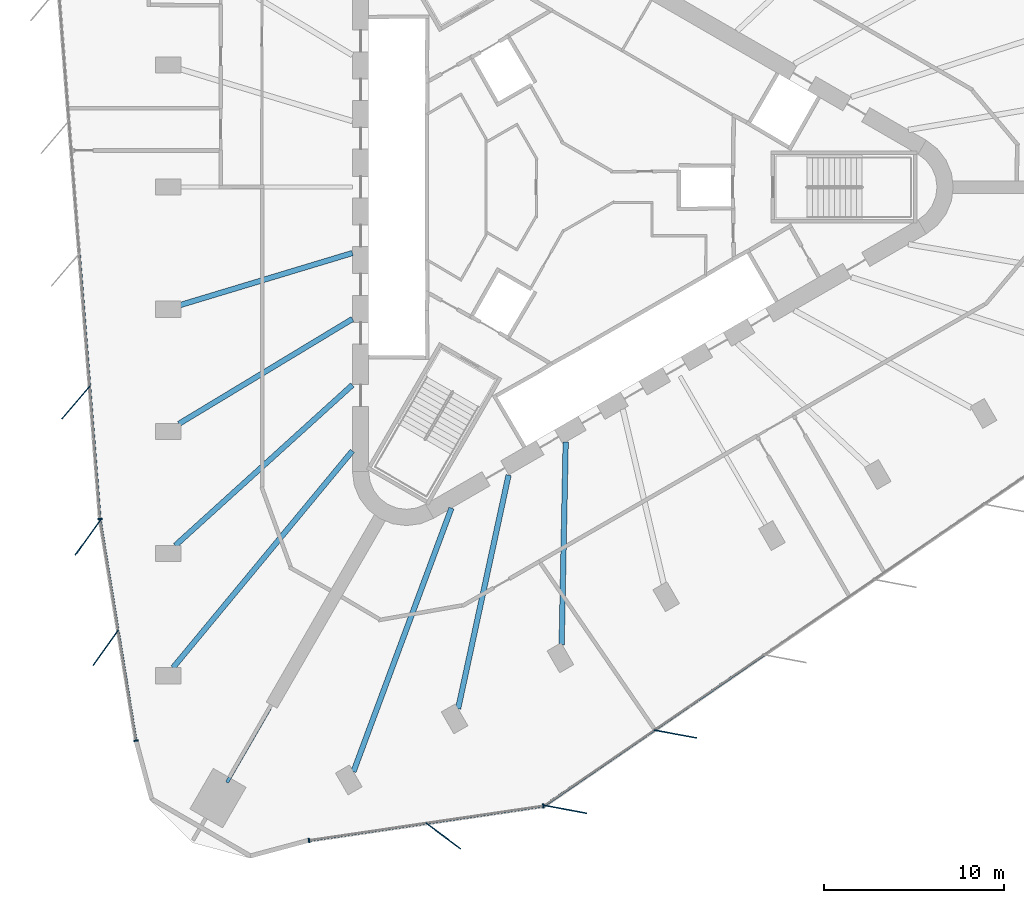
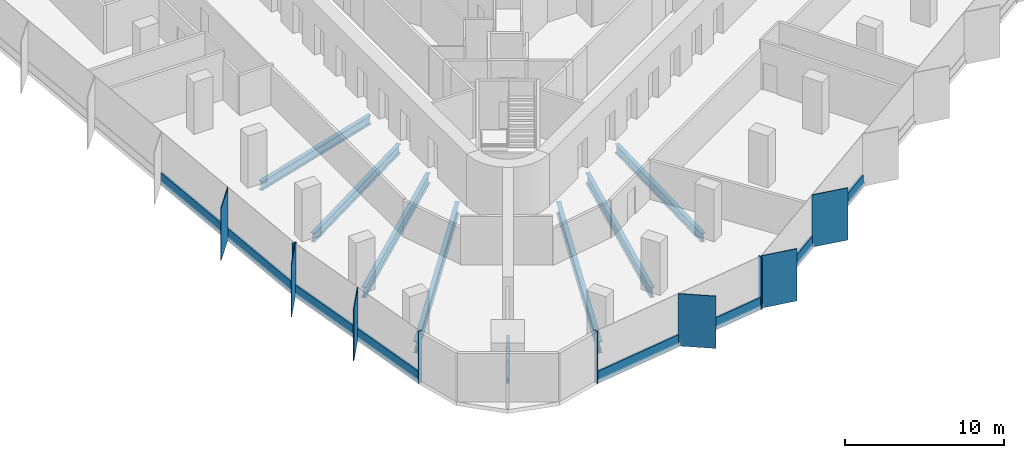
# One storey, part 2 of 13: 18 members, 8 beams, 4 elements without a shape of their own.
"""IFC4 building model written with IfcOpenShell, lengths in metres."""

import ifcopenshell
import ifcopenshell.guid

model = None  # the IFC model being written
_history = None  # IfcOwnerHistory: only IFC2X3 demands one
_inside = {}  # id of a spatial element -> (the spatial element, [elements in it])
_under = {}  # id of a project, library or spatial element -> (it, [spatial elements below it])
_declared = {}  # id of a project -> (the project, [libraries it declares])
_typed = {}  # id of a type object -> (the type object, [elements of that type])
_made_of = {}  # id of a material, layer set ... -> (it, [elements and type objects made of it])


def new_model(schema):
    """Start an empty IFC model of exactly this schema.

    Asked for "IFC4X3", IfcOpenShell would pick the latest addendum, in which some entities
    have other attributes; the version numbers below select the first issue.
    IFC2X3 requires an IfcOwnerHistory on every rooted entity: one is made here for all.
    """
    global model, _history
    if schema == "IFC4X3":
        model = ifcopenshell.file(schema_version=(4, 3, 0, 0))
    else:
        model = ifcopenshell.file(schema=schema)
    _inside.clear()
    _under.clear()
    _declared.clear()
    _typed.clear()
    _made_of.clear()
    _history = None
    if model.schema == "IFC2X3":
        org = make("IfcOrganization", Name="unknown")
        user = make(
            "IfcPersonAndOrganization",
            ThePerson=make("IfcPerson", FamilyName="unknown"),
            TheOrganization=org,
        )
        app = make(
            "IfcApplication",
            ApplicationDeveloper=org,
            Version="unknown",
            ApplicationFullName="unknown",
            ApplicationIdentifier="unknown",
        )
        _history = make(
            "IfcOwnerHistory",
            OwningUser=user,
            OwningApplication=app,
            ChangeAction="ADDED",
            CreationDate=0,
        )
    return model


def make(cls, **values):
    """One entity of the class cls with the attributes given. An attribute that is None is left unset."""
    return model.create_entity(
        cls, **{name: value for name, value in values.items() if value is not None}
    )


def rooted(cls, **values):
    """An entity with a GlobalId (a new one), such as an element, a storey or a relation."""
    return make(cls, GlobalId=ifcopenshell.guid.new(), OwnerHistory=_history, **values)


def si_unit(unit_type, name, prefix=None):
    """IfcSIUnit, for example si_unit("LENGTHUNIT", "METRE", prefix="MILLI")."""
    return make("IfcSIUnit", UnitType=unit_type, Prefix=prefix, Name=name)


def assignment(units):
    """IfcUnitAssignment: the units of a project."""
    return None if units is None else make("IfcUnitAssignment", Units=units)


def point(xyz):
    """IfcCartesianPoint."""
    return None if xyz is None else make("IfcCartesianPoint", Coordinates=xyz)


def direction(xyz):
    """IfcDirection."""
    return None if xyz is None else make("IfcDirection", DirectionRatios=xyz)


def frame(location, z_axis=None, x_axis=None):
    """IfcAxis2Placement3D, a coordinate frame: its origin and axes. An axis left out is left unset."""
    return make(
        "IfcAxis2Placement3D",
        Location=point(location),
        Axis=direction(z_axis),
        RefDirection=direction(x_axis),
    )


def frame_2d(location, x_axis=None):
    """IfcAxis2Placement2D, a coordinate frame in the plane: its origin and x axis."""
    return make(
        "IfcAxis2Placement2D", Location=point(location), RefDirection=direction(x_axis)
    )


def origin():
    """The frame at (0, 0, 0) with its axes left unset."""
    return frame((0.0, 0.0, 0.0))


def origin_2d():
    """The frame at (0, 0) in the plane with its x axis left unset."""
    return frame_2d((0.0, 0.0))


def place(relative_to, where):
    """IfcLocalPlacement: puts the frame where relative to a parent placement (None: the world)."""
    return make(
        "IfcLocalPlacement", PlacementRelTo=relative_to, RelativePlacement=where
    )


def context(
    kind, dimensions, precision=None, world=None, true_north=None, identifier=None
):
    """IfcGeometricRepresentationContext, for example the 3D "Model" context."""
    return make(
        "IfcGeometricRepresentationContext",
        ContextIdentifier=identifier,
        ContextType=kind,
        CoordinateSpaceDimension=dimensions,
        Precision=precision,
        WorldCoordinateSystem=world,
        TrueNorth=true_north,
    )


def subcontext(parent, identifier, kind, view, scale=None):
    """IfcGeometricRepresentationSubContext, for example "Body" below "Model"."""
    return make(
        "IfcGeometricRepresentationSubContext",
        ContextIdentifier=identifier,
        ContextType=kind,
        ParentContext=parent,
        TargetScale=scale,
        TargetView=view,
    )


def project(units=None, contexts=None):
    """IfcProject with its units and contexts."""
    return rooted(
        "IfcProject",
        Name="project",
        RepresentationContexts=contexts,
        UnitsInContext=assignment(units),
    )


def spatial(cls, under=None, at=None, **own):
    """A site, building, storey or space (cls), placed at a placement, below another one or the project."""
    s = rooted(cls, ObjectPlacement=at, **own)
    if under is not None:
        _under.setdefault(under.id(), (under, []))[1].append(s)
    return s


def profile(cls, at=None, kind="AREA", **sizes):
    """A parametric profile (cls). Its sizes go by their IFC names, for example OverallWidth=200.0."""
    return make(cls, ProfileType=kind, Position=at, **sizes)


def rectangle(**sizes):
    """IfcRectangleProfileDef."""
    return profile("IfcRectangleProfileDef", **sizes)


def i_section(**sizes):
    """IfcIShapeProfileDef."""
    return profile("IfcIShapeProfileDef", **sizes)


def extrude(swept, where, along, depth):
    """IfcExtrudedAreaSolid: the profile swept, set in the frame where, extruded along a direction by depth."""
    return make(
        "IfcExtrudedAreaSolid",
        SweptArea=swept,
        Position=where,
        ExtrudedDirection=direction(along),
        Depth=depth,
    )


def shape(context_of_items, identifier, shape_type, items):
    """IfcShapeRepresentation: the items that make up one representation, for example the "Body"."""
    return make(
        "IfcShapeRepresentation",
        ContextOfItems=context_of_items,
        RepresentationIdentifier=identifier,
        RepresentationType=shape_type,
        Items=items,
    )


def material(Name=None, Category=None):
    """IfcMaterial."""
    return make("IfcMaterial", Name=Name, Category=Category)


def material_profile(
    of_material, cross_section, Name=None, Category=None, Priority=None
):
    """IfcMaterialProfile: a cross section and its material."""
    return make(
        "IfcMaterialProfile",
        Name=Name,
        Material=of_material,
        Profile=cross_section,
        Priority=Priority,
        Category=Category,
    )


def profile_set(profiles, Name=None, composite=None):
    """IfcMaterialProfileSet."""
    return make(
        "IfcMaterialProfileSet",
        Name=Name,
        MaterialProfiles=profiles,
        CompositeProfile=composite,
    )


def made_of(thing, what):
    """Note that an element or type object is made of a material, layer set ...; save() writes the relation."""
    if what is not None:
        _made_of.setdefault(what.id(), (what, []))[1].append(thing)
    return thing


def type_object(cls, material=None, **own):
    """A type object (cls), such as IfcWallType, which elements share."""
    return made_of(rooted(cls, **own), material)


def element(
    cls,
    number,
    at=None,
    inside=None,
    cuts=None,
    type_object=None,
    material=None,
    context=None,
    identifier="Body",
    shape_type=None,
    held_by="IfcProductDefinitionShape",
    body=None,
    shapes=None,
    **own,
):
    """One element of the class cls, such as IfcWall. Its Tag is "e" and its number.

    at: its placement. inside: the storey or other place that contains it. cuts: it is an
    opening in that element (IfcRelVoidsElement). A single representation is given by context,
    identifier, shape_type and body (its items); several are given by shapes. held_by: the class
    of the entity that holds the representations. save() writes the other relations.
    """
    e = rooted(cls, Tag="e%d" % number, ObjectPlacement=at, **own)
    if body is not None:
        shapes = [shape(context, identifier, shape_type, body)]
    if shapes is not None:
        e.Representation = make(held_by, Representations=shapes)
    if inside is not None:
        _inside.setdefault(inside.id(), (inside, []))[1].append(e)
    if cuts is not None:
        rooted(
            "IfcRelVoidsElement", RelatingBuildingElement=cuts, RelatedOpeningElement=e
        )
    if type_object is not None:
        _typed.setdefault(type_object.id(), (type_object, []))[1].append(e)
    return made_of(e, material)


def aggregate(whole, parts):
    """IfcRelAggregates: a whole, such as a stair, and the parts it consists of."""
    return rooted("IfcRelAggregates", RelatingObject=whole, RelatedObjects=parts)


def save(model, path):
    """Write the relations noted so far, then the file.

    IfcRelAggregates (storeys below a building ...), IfcRelContainedInSpatialStructure (elements
    in a storey), IfcRelDefinesByType, IfcRelAssociatesMaterial and IfcRelDeclares: one each for
    every whole, place, type object, material and project.
    """
    for whole, parts in _under.values():
        aggregate(whole, parts)
    for where, things in _inside.values():
        rooted(
            "IfcRelContainedInSpatialStructure",
            RelatedElements=things,
            RelatingStructure=where,
        )
    for kind, things in _typed.values():
        rooted("IfcRelDefinesByType", RelatedObjects=things, RelatingType=kind)
    for what, things in _made_of.values():
        rooted("IfcRelAssociatesMaterial", RelatedObjects=things, RelatingMaterial=what)
    for by, libraries in _declared.values():
        rooted("IfcRelDeclares", RelatingContext=by, RelatedDefinitions=libraries)
    model.write(path)


model = new_model("IFC4")

# Units and contexts
model_context = context("Model", 3, precision=1e-05, world=origin(), true_north=direction((0.0, 1.0)))
body_context = subcontext(model_context, "Body", "Model", "MODEL_VIEW")
ifc_project = project(units=[si_unit("LENGTHUNIT", "METRE"), si_unit("AREAUNIT", "SQUARE_METRE"), si_unit("VOLUMEUNIT", "CUBIC_METRE"), si_unit("PLANEANGLEUNIT", "RADIAN"), si_unit("MASSUNIT", "GRAM", prefix="KILO")], contexts=[model_context])

# Site, building, storey
site_placement = place(None, origin())
site = spatial("IfcSite", under=ifc_project, at=site_placement, CompositionType="ELEMENT")
building_placement = place(site_placement, origin())
building = spatial("IfcBuilding", under=site, at=building_placement, Name="Tanit Gate Tower", CompositionType="ELEMENT")
storey_placement = place(building_placement, frame((0.0, 0.0, 193.199951171875)))
storey = spatial("IfcBuildingStorey", under=building, at=storey_placement, Name="L42", CompositionType="ELEMENT", Elevation=193.199951171875)

# Curtain wall, member
ifc_material_1 = material(Name="Aluminium bronze anodised and glass", Category="aluminium")
curtain_wall_type = type_object("IfcCurtainWallType", Name="Curtain wall typical mid", PredefinedType="NOTDEFINED", material=ifc_material_1)
curtain_wall_1_placement = place(storey_placement, origin())
curtain_wall_1 = element("IfcCurtainWall", 1, at=curtain_wall_1_placement, inside=storey, type_object=curtain_wall_type, Name="Curtain wall L42 W2", PredefinedType="NOTDEFINED")
ifc_material_2 = material(Name="Aluminium bronze anodised", Category="aluminium")
ifc_material_profile_1 = material_profile(ifc_material_2, rectangle(XDim=2.39990234375, YDim=0.055908203125, at=origin_2d()), Name="56x2400 bronze fin mullion")
ifc_profile_set_1 = profile_set([ifc_material_profile_1], Name="Aluminium bronze anodised")
member_type_1 = type_object("IfcMemberType", Name="FIN MULLION 56x2400 bronze", PredefinedType="MULLION", material=ifc_profile_set_1)
member_1_placement = place(storey_placement, frame((-27.427490234375, -11.9326171875, -0.300048828125), z_axis=(0.0, 0.0, 1.0), x_axis=(0.649921223903, 0.760001580735, 0.0)))
member_1 = element("IfcMember", 2, at=member_1_placement, type_object=member_type_1, Name="Fin mullion L42 W2.5", PredefinedType="MULLION", context=body_context, shape_type="SweptSolid", body=[
    extrude(rectangle(XDim=2.39990234375, YDim=0.055908203125, at=origin_2d()), origin(), (0.0, 0.0, 1.0), 4.0),
])

# Curtain wall, members
curtain_wall_2_placement = place(storey_placement, origin())
curtain_wall_2 = element("IfcCurtainWall", 3, at=curtain_wall_2_placement, inside=storey, type_object=curtain_wall_type, Name="Curtain wall L42 W3", PredefinedType="NOTDEFINED")
member_2_placement = place(storey_placement, frame((-26.7666015625, -19.4287109375, -0.300048828125), z_axis=(0.0, 0.0, 1.0), x_axis=(0.584613599563, 0.8113118631, 0.0)))
member_2 = element("IfcMember", 4, at=member_2_placement, type_object=member_type_1, Name="Fin mullion L42 W3.1", PredefinedType="MULLION", context=body_context, shape_type="SweptSolid", body=[
    extrude(rectangle(XDim=2.39990234375, YDim=0.055908203125, at=origin_2d()), origin(), (0.0, 0.0, 1.0), 4.0),
])
member_3_placement = place(storey_placement, frame((-25.775146484375, -25.532958984375, -0.300048828125), z_axis=(0.0, 0.0, 1.0), x_axis=(0.584613599563, 0.8113118631, 0.0)))
member_3 = element("IfcMember", 5, at=member_3_placement, type_object=member_type_1, Name="Fin mullion L42 W3.2", PredefinedType="MULLION", context=body_context, shape_type="SweptSolid", body=[
    extrude(rectangle(XDim=2.39990234375, YDim=0.055908203125, at=origin_2d()), origin(), (0.0, 0.0, 1.0), 4.0),
])

# Curtain wall, member
curtain_wall_3_placement = place(storey_placement, origin())
curtain_wall_3 = element("IfcCurtainWall", 6, at=curtain_wall_3_placement, inside=storey, type_object=curtain_wall_type, Name="Curtain wall L42 SE1", PredefinedType="NOTDEFINED")
member_4_placement = place(storey_placement, frame((-7.0673828125, -35.96044921875, -0.300048828125), z_axis=(0.0, 0.0, 1.0), x_axis=(-0.802457483443, 0.596709298794, 0.0)))
member_4 = element("IfcMember", 7, at=member_4_placement, type_object=member_type_1, Name="Fin mullion L42 SE1.2", PredefinedType="MULLION", context=body_context, shape_type="SweptSolid", body=[
    extrude(rectangle(XDim=2.39990234375, YDim=0.055908203125, at=origin_2d()), origin(), (0.0, 0.0, 1.0), 4.0),
])

# Curtain wall, members
curtain_wall_4_placement = place(storey_placement, origin())
curtain_wall_4 = element("IfcCurtainWall", 8, at=curtain_wall_4_placement, inside=storey, type_object=curtain_wall_type, Name="Curtain wall L42 SE2", PredefinedType="NOTDEFINED")
member_5_placement = place(storey_placement, frame((-0.287109375, -34.489013671875, -0.300048828125), z_axis=(0.0, 0.0, 1.0), x_axis=(-0.983141287785, 0.182847499991, 0.0)))
member_5 = element("IfcMember", 9, at=member_5_placement, type_object=member_type_1, Name="Fin mullion L42 SE2.1", PredefinedType="MULLION", context=body_context, shape_type="SweptSolid", body=[
    extrude(rectangle(XDim=2.39990234375, YDim=0.055908203125, at=origin_2d()), origin(), (0.0, 0.0, 1.0), 4.0),
])
member_6_placement = place(storey_placement, frame((5.796630859375, -30.3134765625, -0.300048828125), z_axis=(0.0, 0.0, 1.0), x_axis=(-0.983141287785, 0.182847499991, 0.0)))
member_6 = element("IfcMember", 10, at=member_6_placement, type_object=member_type_1, Name="Fin mullion L42 SE2.2", PredefinedType="MULLION", context=body_context, shape_type="SweptSolid", body=[
    extrude(rectangle(XDim=2.39990234375, YDim=0.055908203125, at=origin_2d()), origin(), (0.0, 0.0, 1.0), 4.0),
])

# Member
ifc_material_3 = material(Name="Aluminium bronze anodised", Category="aluminium")
ifc_material_profile_2 = material_profile(ifc_material_3, rectangle(XDim=0.260009765625, YDim=0.080078125, at=origin_2d()), Name="80x260 bronze mullion")
ifc_profile_set_2 = profile_set([ifc_material_profile_2], Name="Aluminium bronze anodised")
member_type_2 = type_object("IfcMemberType", Name="Mullion 80x260 typical mid", PredefinedType="MULLION", material=ifc_profile_set_2)
member_7_placement = place(storey_placement, frame((-26.0869140625, -18.39306640625, -0.300048828125), z_axis=(0.0, 0.0, 1.0), x_axis=(0.996965976109, 0.077838566791, 0.0)))
member_7 = element("IfcMember", 11, at=member_7_placement, type_object=member_type_2, Name="Mullion L42 W2.6", PredefinedType="MULLION", context=body_context, shape_type="SweptSolid", body=[
    extrude(rectangle(XDim=0.260009765625, YDim=0.080078125, at=origin_2d()), origin(), (0.0, 0.0, 1.0), 4.0),
])

member_8_placement = place(storey_placement, frame((-24.0947265625, -30.6806640625, -0.300048828125), z_axis=(0.0, 0.0, 1.0), x_axis=(0.98706836068, 0.16029987943, 0.0)))
member_8 = element("IfcMember", 12, at=member_8_placement, type_object=member_type_2, Name="Mullion L42 W3.3", PredefinedType="MULLION", context=body_context, shape_type="SweptSolid", body=[
    extrude(rectangle(XDim=0.260009765625, YDim=0.080078125, at=origin_2d()), origin(), (0.0, 0.0, 1.0), 4.0),
])

member_9_placement = place(storey_placement, frame((-14.508056640625, -36.212158203125, -0.300048828125), z_axis=(0.0, 0.0, 1.0), x_axis=(-0.145485936582, 0.98936031973, 0.0)))
member_9 = element("IfcMember", 13, at=member_9_placement, type_object=member_type_2, Name="Mullion L42 SE1.1", PredefinedType="MULLION", context=body_context, shape_type="SweptSolid", body=[
    extrude(rectangle(XDim=0.260009765625, YDim=0.080078125, at=origin_2d()), origin(), (0.0, 0.0, 1.0), 4.0),
])

member_10_placement = place(storey_placement, frame((-1.5185546875, -34.302001953125, -0.300048828125), z_axis=(0.0, 0.0, 1.0), x_axis=(-0.145485936582, 0.98936031973, 0.0)))
member_10 = element("IfcMember", 14, at=member_10_placement, type_object=member_type_2, Name="Mullion L42 SE1.3", PredefinedType="MULLION", context=body_context, shape_type="SweptSolid", body=[
    extrude(rectangle(XDim=0.260009765625, YDim=0.080078125, at=origin_2d()), origin(), (0.0, 0.0, 1.0), 4.0),
])

# Beams
ifc_material_4 = material(Name="Steel S355", Category="steel")
ifc_material_profile_3 = material_profile(ifc_material_4, i_section(OverallWidth=0.300048828125, OverallDepth=0.68994140625, WebThickness=0.014404296875, FlangeThickness=0.027099609375, FilletRadius=0.027099609375, at=origin_2d()), Name="HEA 700")
ifc_profile_set_3 = profile_set([ifc_material_profile_3], Name="Steel S355")
beam_type_1 = type_object("IfcBeamType", Name="RADIAL GIRDER HEA 700 S355", PredefinedType="BEAM", material=ifc_profile_set_3)
beam_1_placement = place(storey_placement, frame((-21.714599609375, -6.5595703125, -0.64501953125), z_axis=(0.95727515036, 0.28917864116, 0.0), x_axis=(-0.28917864116, 0.95727515036, 0.0)))
element("IfcBeam", 15, at=beam_1_placement, inside=storey, type_object=beam_type_1, Name="RADIAL GIRDER", PredefinedType="BEAM", context=body_context, shape_type="SweptSolid", body=[
    extrude(i_section(OverallWidth=0.300048828125, OverallDepth=0.68994140625, WebThickness=0.014404296875, FlangeThickness=0.027099609375, FilletRadius=0.027099609375, at=origin_2d()), origin(), (0.0, 0.0, 1.0), 10.04150390625),
])
for number, where, z_axis, x_axis, name in (
    (16, (-21.714599609375, -13.119140625, -0.64501953125), (0.855914138783, 0.517117962395, 0.0), (-0.517117962395, 0.855914138783, 0.0), "RADIAL GIRDER"),
    (17, (-0.504150390625, -25.364990234375, -0.64501953125), (0.019869098262, 0.999802589982, 0.0), (-0.999802589982, 0.019869098262, 0.0), "RADIAL GIRDER"),
):
    element("IfcBeam", number, at=place(storey_placement, frame(where, z_axis=z_axis, x_axis=x_axis)), inside=storey, type_object=beam_type_1, Name=name, PredefinedType="BEAM", context=body_context, shape_type="SweptSolid", body=[
        extrude(i_section(OverallWidth=0.300048828125, OverallDepth=0.68994140625, WebThickness=0.014404296875, FlangeThickness=0.027099609375, FilletRadius=0.027099609375, at=origin_2d()), origin(), (0.0, 0.0, 1.0), 11.230712890625),
    ])
ifc_material_5 = material(Name="Steel S355", Category="steel")
ifc_material_profile_4 = material_profile(ifc_material_5, i_section(OverallWidth=0.300048828125, OverallDepth=0.7900390625, WebThickness=0.014892578125, FlangeThickness=0.028076171875, FilletRadius=0.030029296875, at=origin_2d()), Name="HEA 800")
ifc_profile_set_4 = profile_set([ifc_material_profile_4], Name="Steel S355")
beam_type_2 = type_object("IfcBeamType", Name="RADIAL GIRDER HEA 800 S355", PredefinedType="BEAM", material=ifc_profile_set_4)
beam_2_placement = place(storey_placement, frame((-21.918212890625, -19.86279296875, -0.695068359375), z_axis=(0.741001566529, 0.671503297387, 0.0), x_axis=(-0.671503297387, 0.741001566529, 0.0)))
element("IfcBeam", 18, at=beam_2_placement, inside=storey, type_object=beam_type_2, Name="RADIAL GIRDER", PredefinedType="BEAM", context=body_context, shape_type="SweptSolid", body=[
    extrude(i_section(OverallWidth=0.300048828125, OverallDepth=0.7900390625, WebThickness=0.014892578125, FlangeThickness=0.028076171875, FilletRadius=0.030029296875, at=origin_2d()), origin(), (0.0, 0.0, 1.0), 13.2470703125),
])
beam_3_placement = place(storey_placement, frame((-6.242919921875, -28.9130859375, -0.695068359375), z_axis=(0.211052986888, 0.977474622037, 0.0), x_axis=(-0.977474622037, 0.211052986888, 0.0)))
element("IfcBeam", 19, at=beam_3_placement, inside=storey, type_object=beam_type_2, Name="RADIAL GIRDER", PredefinedType="BEAM", context=body_context, shape_type="SweptSolid", body=[
    extrude(i_section(OverallWidth=0.300048828125, OverallDepth=0.7900390625, WebThickness=0.014892578125, FlangeThickness=0.028076171875, FilletRadius=0.030029296875, at=origin_2d()), origin(), (0.0, 0.0, 1.0), 13.247314453125),
])
ifc_material_6 = material(Name="Steel S355", Category="steel")
ifc_material_profile_5 = material_profile(ifc_material_6, i_section(OverallWidth=0.300048828125, OverallDepth=0.889892578125, WebThickness=0.01611328125, FlangeThickness=0.030029296875, FilletRadius=0.030029296875, at=origin_2d()), Name="HEA 900")
ifc_profile_set_5 = profile_set([ifc_material_profile_5], Name="Steel S355")
beam_type_3 = type_object("IfcBeamType", Name="RADIAL GIRDER HEA 900 S355", PredefinedType="BEAM", material=ifc_profile_set_5)
beam_4_placement = place(storey_placement, frame((-22.042236328125, -26.6337890625, -0.744873046875), z_axis=(0.637577648995, 0.77038609898, 0.0), x_axis=(-0.77038609898, 0.637577648995, 0.0)))
element("IfcBeam", 20, at=beam_4_placement, inside=storey, type_object=beam_type_3, Name="RADIAL GIRDER", PredefinedType="BEAM", context=body_context, shape_type="SweptSolid", body=[
    extrude(i_section(OverallWidth=0.300048828125, OverallDepth=0.889892578125, WebThickness=0.01611328125, FlangeThickness=0.030029296875, FilletRadius=0.030029296875, at=origin_2d()), origin(), (0.0, 0.0, 1.0), 15.590576171875),
])
beam_5_placement = place(storey_placement, frame((-12.04443359375, -32.40625, -0.744873046875), z_axis=(0.348383102876, 0.937352235625, 0.0), x_axis=(-0.937352235625, 0.348383102876, 0.0)))
element("IfcBeam", 21, at=beam_5_placement, inside=storey, type_object=beam_type_3, Name="RADIAL GIRDER", PredefinedType="BEAM", context=body_context, shape_type="SweptSolid", body=[
    extrude(i_section(OverallWidth=0.300048828125, OverallDepth=0.889892578125, WebThickness=0.01611328125, FlangeThickness=0.030029296875, FilletRadius=0.030029296875, at=origin_2d()), origin(), (0.0, 0.0, 1.0), 15.591064453125),
])
ifc_material_7 = material(Name="Steel S355", Category="steel")
ifc_material_profile_6 = material_profile(ifc_material_7, i_section(OverallWidth=0.179931640625, OverallDepth=0.39990234375, WebThickness=0.008544921875, FlangeThickness=0.013427734375, FilletRadius=0.02099609375, at=origin_2d()), Name="IPE 400")
ifc_profile_set_6 = profile_set([ifc_material_profile_6], Name="Steel S355")
beam_type_4 = type_object("IfcBeamType", Name="RADIAL GIRDER IPE 400 S355", PredefinedType="BEAM", material=ifc_profile_set_6)
beam_6_placement = place(storey_placement, frame((-19.05126953125, -32.997802734375, -0.5), z_axis=(0.49999482868, 0.866028389427, 0.0), x_axis=(-0.866028389427, 0.49999482868, 0.0)))
element("IfcBeam", 22, at=beam_6_placement, inside=storey, type_object=beam_type_4, Name="RADIAL GIRDER", PredefinedType="BEAM", context=body_context, shape_type="SweptSolid", body=[
    extrude(i_section(OverallWidth=0.179931640625, OverallDepth=0.39990234375, WebThickness=0.008544921875, FlangeThickness=0.013427734375, FilletRadius=0.02099609375, at=origin_2d()), origin(), (0.0, 0.0, 1.0), 4.73291015625),
])

# Member
ifc_material_8 = material(Name="Aluminium bronze anodised", Category="aluminium")
ifc_material_profile_7 = material_profile(ifc_material_8, rectangle(XDim=0.139892578125, YDim=0.89990234375, at=origin_2d()), Name="140x900 bronze transom")
ifc_profile_set_7 = profile_set([ifc_material_profile_7], Name="Aluminium bronze anodised")
member_type_3 = type_object("IfcMemberType", Name="Transom 140x900 typical mid", PredefinedType="USERDEFINED", material=ifc_profile_set_7)
member_11_placement = place(storey_placement, frame((-27.232421875, -3.72021484375, 0.150146484375), z_axis=(0.077837277659, -0.996966076758, 0.0), x_axis=(0.996966076758, 0.077837277659, 0.0)))
member_11 = element("IfcMember", 23, at=member_11_placement, type_object=member_type_3, Name="Transom L42 W2.4", ObjectType="TRANSOM", PredefinedType="USERDEFINED", context=body_context, shape_type="SweptSolid", body=[
    extrude(rectangle(XDim=0.139892578125, YDim=0.89990234375, at=origin_2d()), origin(), (0.0, 0.0, 1.0), 7.298828125),
])

member_12_placement = place(storey_placement, frame((-26.658203125, -11.07666015625, 0.150146484375), z_axis=(0.077837277659, -0.996966076758, 0.0), x_axis=(0.996966076758, 0.077837277659, 0.0)))
member_12 = element("IfcMember", 24, at=member_12_placement, type_object=member_type_3, Name="Transom L42 W2.5", ObjectType="TRANSOM", PredefinedType="USERDEFINED", context=body_context, shape_type="SweptSolid", body=[
    extrude(rectangle(XDim=0.139892578125, YDim=0.89990234375, at=origin_2d()), origin(), (0.0, 0.0, 1.0), 7.298828125),
])

aggregate(curtain_wall_1, [member_1, member_7, member_11, member_12])

member_13_placement = place(storey_placement, frame((-26.071044921875, -18.511962890625, 0.150146484375), z_axis=(0.160304982691, -0.987067531897, 0.0), x_axis=(0.987067531897, 0.160304982691, 0.0)))
member_13 = element("IfcMember", 25, at=member_13_placement, type_object=member_type_3, Name="Transom L42 W3.1", ObjectType="TRANSOM", PredefinedType="USERDEFINED", context=body_context, shape_type="SweptSolid", body=[
    extrude(rectangle(XDim=0.139892578125, YDim=0.89990234375, at=origin_2d()), origin(), (0.0, 0.0, 1.0), 6.10400390625),
])

member_14_placement = place(storey_placement, frame((-25.07958984375, -24.615966796875, 0.150146484375), z_axis=(0.160304982691, -0.987067531897, 0.0), x_axis=(0.987067531897, 0.160304982691, 0.0)))
member_14 = element("IfcMember", 26, at=member_14_placement, type_object=member_type_3, Name="Transom L42 W3.2", ObjectType="TRANSOM", PredefinedType="USERDEFINED", context=body_context, shape_type="SweptSolid", body=[
    extrude(rectangle(XDim=0.139892578125, YDim=0.89990234375, at=origin_2d()), origin(), (0.0, 0.0, 1.0), 6.10400390625),
])

aggregate(curtain_wall_2, [member_2, member_3, member_8, member_13, member_14])

member_15_placement = place(storey_placement, frame((-14.468505859375, -36.206298828125, 0.150146484375), z_axis=(0.989355947186, 0.145515668463, 0.0), x_axis=(-0.145515668463, 0.989355947186, 0.0)))
member_15 = element("IfcMember", 27, at=member_15_placement, type_object=member_type_3, Name="Transom L42 SE1.1", ObjectType="TRANSOM", PredefinedType="USERDEFINED", context=body_context, shape_type="SweptSolid", body=[
    extrude(rectangle(XDim=0.139892578125, YDim=0.89990234375, at=origin_2d()), origin(), (0.0, 0.0, 1.0), 6.484619140625),
])

member_16_placement = place(storey_placement, frame((-7.9736328125, -35.251220703125, 0.150146484375), z_axis=(0.989355947186, 0.145515668463, 0.0), x_axis=(-0.145515668463, 0.989355947186, 0.0)))
member_16 = element("IfcMember", 28, at=member_16_placement, type_object=member_type_3, Name="Transom L42 SE1.2", ObjectType="TRANSOM", PredefinedType="USERDEFINED", context=body_context, shape_type="SweptSolid", body=[
    extrude(rectangle(XDim=0.139892578125, YDim=0.89990234375, at=origin_2d()), origin(), (0.0, 0.0, 1.0), 6.484619140625),
])

aggregate(curtain_wall_3, [member_9, member_4, member_10, member_15, member_16])

member_17_placement = place(storey_placement, frame((-1.4130859375, -34.250732421875, 0.150146484375), z_axis=(0.824481834567, 0.565888420512, 0.0), x_axis=(-0.565888420512, 0.824481834567, 0.0)))
member_17 = element("IfcMember", 29, at=member_17_placement, type_object=member_type_3, Name="Transom L42 SE2.1", ObjectType="TRANSOM", PredefinedType="USERDEFINED", context=body_context, shape_type="SweptSolid", body=[
    extrude(rectangle(XDim=0.139892578125, YDim=0.89990234375, at=origin_2d()), origin(), (0.0, 0.0, 1.0), 7.298828125),
])

member_18_placement = place(storey_placement, frame((4.670654296875, -30.0751953125, 0.150146484375), z_axis=(0.824481834567, 0.565888420512, 0.0), x_axis=(-0.565888420512, 0.824481834567, 0.0)))
member_18 = element("IfcMember", 30, at=member_18_placement, type_object=member_type_3, Name="Transom L42 SE2.2", ObjectType="TRANSOM", PredefinedType="USERDEFINED", context=body_context, shape_type="SweptSolid", body=[
    extrude(rectangle(XDim=0.139892578125, YDim=0.89990234375, at=origin_2d()), origin(), (0.0, 0.0, 1.0), 7.298828125),
])

aggregate(curtain_wall_4, [member_5, member_6, member_17, member_18])

save(model, "model.ifc")
